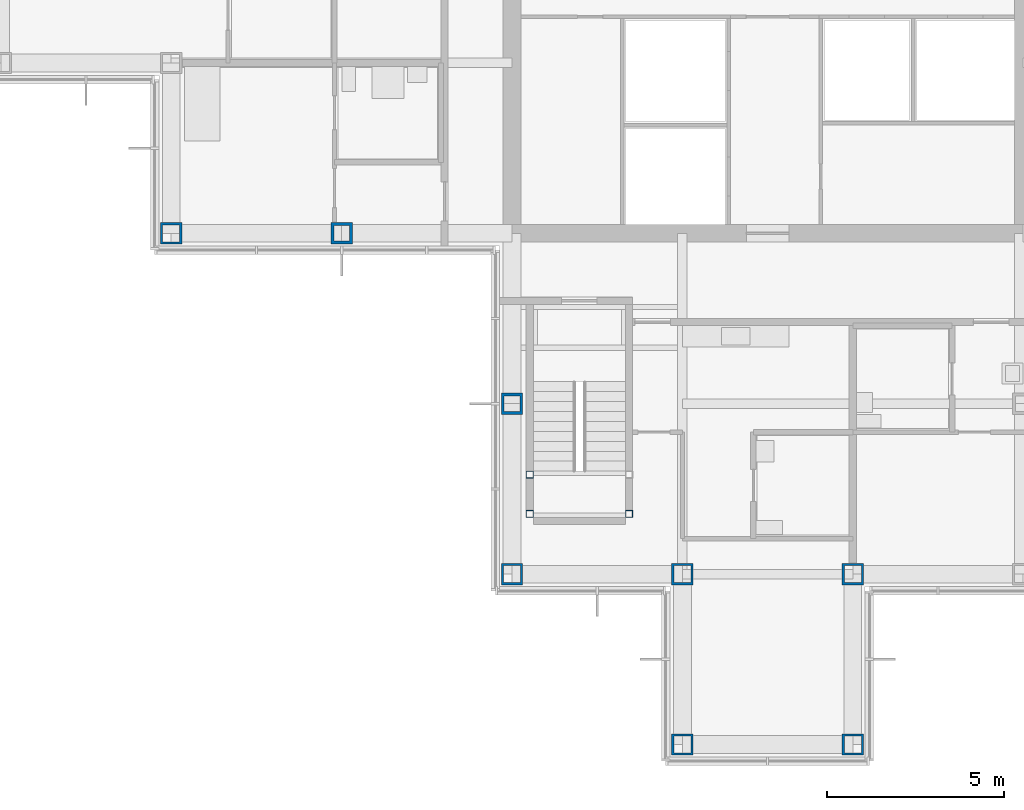
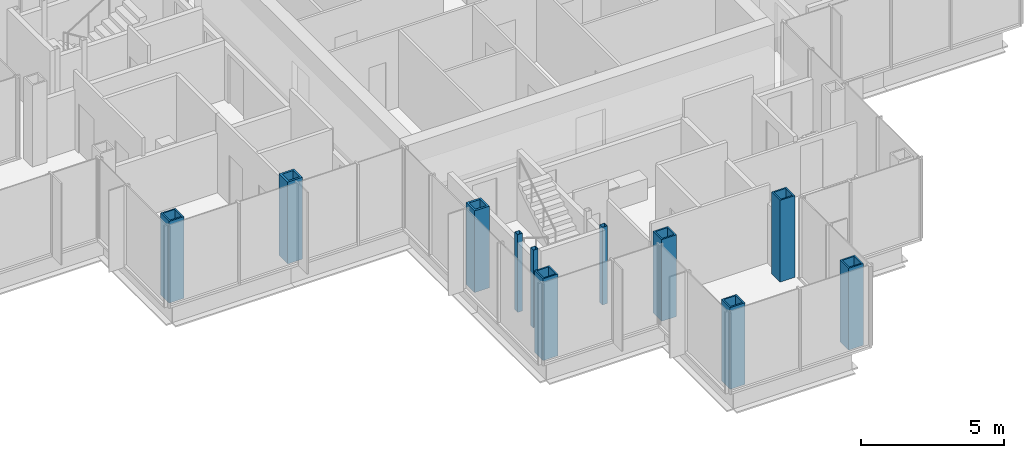
# One storey, part 1 of 17: 11 columns.
"""IFC4 building model written with IfcOpenShell, lengths in metres."""

from ifc_helpers import new_model, si_unit, direction, frame, origin, origin_2d, place, context, subcontext, project, spatial, hollow_rectangle, extrude, material, material_profile, profile_set, type_object, element, save


model = new_model("IFC4")

# Units and contexts
model_context = context("Model", 3, precision=1e-05, world=origin(), true_north=direction((0.0, 1.0)))
body_context = subcontext(model_context, "Body", "Model", "MODEL_VIEW")
ifc_project = project(units=[si_unit("LENGTHUNIT", "METRE"), si_unit("AREAUNIT", "SQUARE_METRE"), si_unit("VOLUMEUNIT", "CUBIC_METRE"), si_unit("PLANEANGLEUNIT", "RADIAN"), si_unit("MASSUNIT", "GRAM", prefix="KILO")], contexts=[model_context])

# Site, building, storey
site_placement = place(None, origin())
site = spatial("IfcSite", under=ifc_project, at=site_placement, CompositionType="ELEMENT")
building_placement = place(site_placement, origin())
building = spatial("IfcBuilding", under=site, at=building_placement, Name="Kvirike Care Tower", CompositionType="ELEMENT")
storey_placement = place(building_placement, frame((0.0, 0.0, 151.5)))
storey = spatial("IfcBuildingStorey", under=building, at=storey_placement, Name="L41", CompositionType="ELEMENT", Elevation=151.5)

# Columns
ifc_material_1 = material(Name="Steel S460", Category="steel")
ifc_material_profile_1 = material_profile(ifc_material_1, hollow_rectangle(XDim=0.60009765625, YDim=0.60009765625, WallThickness=0.06005859375, at=origin_2d()), Name="BX 600x600x60")
ifc_profile_set_1 = profile_set([ifc_material_profile_1], Name="Steel S460")
column_type_1 = type_object("IfcColumnType", Name="COLUMN BX 600x600x60", PredefinedType="COLUMN", material=ifc_profile_set_1)
for number, where, z_axis, x_axis, name in (
    (1, (4.800048828125, 28.800048828125, 0.0), (0.0, 0.0, 1.0), (0.0, 1.0, 0.0), "Column G4 L41"),
    (2, (14.39990234375, 19.199951171875, 0.0), (0.0, 0.0, 1.0), (0.0, 1.0, 0.0), "Column E6 L41"),
    (3, (19.199951171875, 14.39990234375, 0.0), (0.0, 0.0, 1.0), (0.0, 1.0, 0.0), "Column D7 L41"),
    (4, (19.199951171875, 19.199951171875, 0.0), (0.0, 0.0, 1.0), (0.0, 1.0, 0.0), "Column E7 L41"),
    (5, (24.0, 14.39990234375, 0.0), (0.0, 0.0, 1.0), (0.0, 1.0, 0.0), "Column D8 L41"),
    (6, (24.0, 19.199951171875, 0.0), (0.0, 0.0, 1.0), (0.0, 1.0, 0.0), "Column E8 L41"),
):
    element("IfcColumn", number, at=place(storey_placement, frame(where, z_axis=z_axis, x_axis=x_axis)), inside=storey, type_object=column_type_1, Name=name, PredefinedType="COLUMN", context=body_context, shape_type="SweptSolid", body=[
        extrude(hollow_rectangle(XDim=0.60009765625, YDim=0.60009765625, WallThickness=0.06005859375, at=origin_2d()), origin(), (0.0, 0.0, 1.0), 3.5),
    ])
ifc_material_2 = material(Name="Steel S460", Category="steel")
ifc_material_profile_2 = material_profile(ifc_material_2, hollow_rectangle(XDim=0.60009765625, YDim=0.60009765625, WallThickness=0.080078125, at=origin_2d()), Name="BX 600x600x80")
ifc_profile_set_2 = profile_set([ifc_material_profile_2], Name="Steel S460")
column_type_2 = type_object("IfcColumnType", Name="COLUMN BX 600x600x80", PredefinedType="COLUMN", material=ifc_profile_set_2)
for number, where, z_axis, x_axis, name in (
    (7, (9.60009765625, 28.800048828125, 0.0), (0.0, 0.0, 1.0), (0.0, 1.0, 0.0), "Column G5 L41"),
    (8, (14.39990234375, 24.0, 0.0), (0.0, 0.0, 1.0), (1.0, 0.0, 0.0), "Column F6 L41"),
):
    element("IfcColumn", number, at=place(storey_placement, frame(where, z_axis=z_axis, x_axis=x_axis)), inside=storey, type_object=column_type_2, Name=name, PredefinedType="COLUMN", context=body_context, shape_type="SweptSolid", body=[
        extrude(hollow_rectangle(XDim=0.60009765625, YDim=0.60009765625, WallThickness=0.080078125, at=origin_2d()), origin(), (0.0, 0.0, 1.0), 3.5),
    ])
ifc_material_3 = material(Name="Steel S460", Category="steel")
ifc_material_profile_3 = material_profile(ifc_material_3, hollow_rectangle(XDim=0.199951171875, YDim=0.199951171875, WallThickness=0.008056640625, at=origin_2d()), Name="SHS 200x200x8")
ifc_profile_set_3 = profile_set([ifc_material_profile_3], Name="Steel S460")
column_type_3 = type_object("IfcColumnType", Name="STAIR POST SHS 200x200x8", PredefinedType="COLUMN", material=ifc_profile_set_3)
for number, where, z_axis, x_axis, name in (
    (9, (14.89990234375, 20.89990234375, 0.0), (0.0, 0.0, 1.0), (1.0, 0.0, 0.0), "Stair 5 post 1 L41"),
    (10, (17.699951171875, 20.89990234375, 0.0), (0.0, 0.0, 1.0), (1.0, 0.0, 0.0), "Stair 5 post 2 L41"),
    (11, (14.89990234375, 22.0, 0.0), (0.0, 0.0, 1.0), (1.0, 0.0, 0.0), "Stair 5 post 3 L41"),
):
    element("IfcColumn", number, at=place(storey_placement, frame(where, z_axis=z_axis, x_axis=x_axis)), inside=storey, type_object=column_type_3, Name=name, PredefinedType="COLUMN", context=body_context, shape_type="SweptSolid", body=[
        extrude(hollow_rectangle(XDim=0.199951171875, YDim=0.199951171875, WallThickness=0.008056640625, at=origin_2d()), origin(), (0.0, 0.0, 1.0), 3.330078125),
    ])

save(model, "model.ifc")
